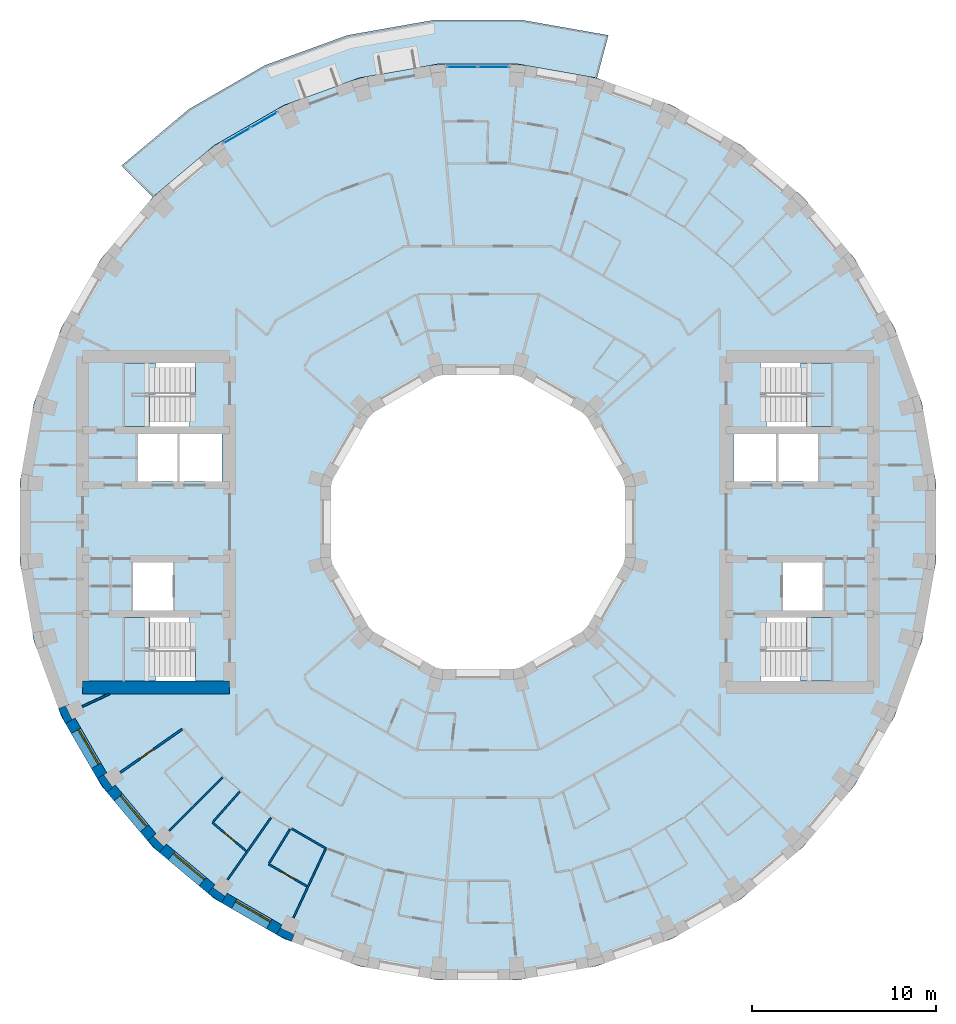
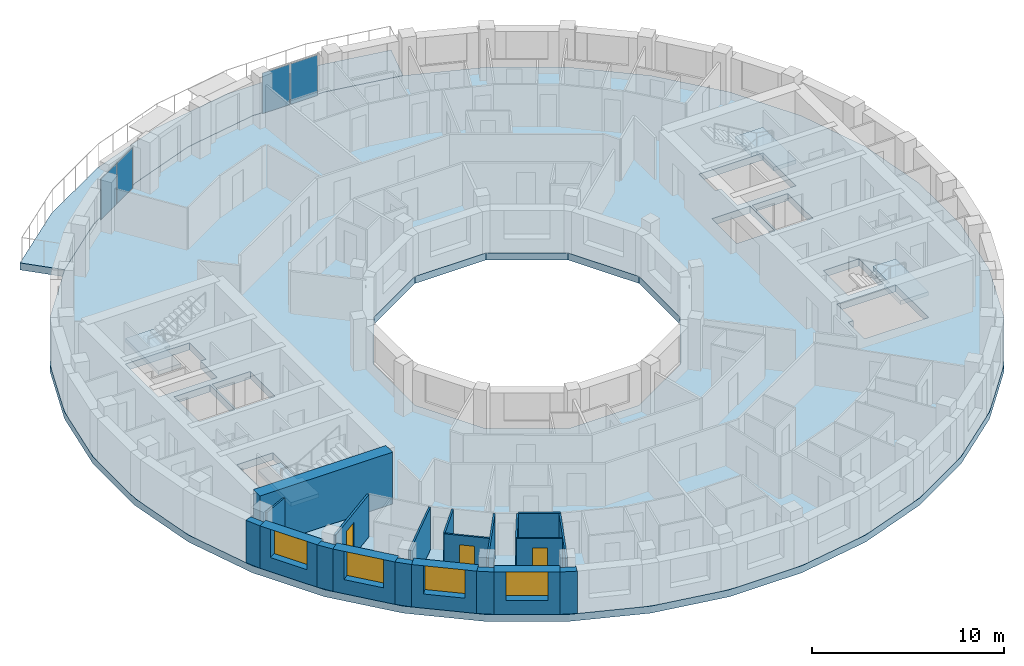
# One storey, part 3 of 14: 20 walls, 6 slabs, 4 plates, 4 windows, 3 doors, 7 openings, 6 elements without a shape of their own.
"""IFC4 building model written with IfcOpenShell, lengths in metres."""

from ifc_helpers import new_model, si_unit, direction, frame, frame_2d, origin, origin_2d, place, context, subcontext, project, spatial, polyline, rectangle, outline, extrude, material, layer, layer_set, type_object, element, fill, aggregate, save


model = new_model("IFC4")

# Units and contexts
model_context = context("Model", 3, precision=1e-05, world=origin(), true_north=direction((0.0, 1.0)))
body_context = subcontext(model_context, "Body", "Model", "MODEL_VIEW")
ifc_project = project(units=[si_unit("LENGTHUNIT", "METRE"), si_unit("AREAUNIT", "SQUARE_METRE"), si_unit("VOLUMEUNIT", "CUBIC_METRE"), si_unit("PLANEANGLEUNIT", "RADIAN"), si_unit("MASSUNIT", "GRAM", prefix="KILO")], contexts=[model_context])

# Site, building, storey
site_placement = place(None, origin())
site = spatial("IfcSite", under=ifc_project, at=site_placement, CompositionType="ELEMENT")
building_placement = place(site_placement, origin())
building = spatial("IfcBuilding", under=site, at=building_placement, Name="Saqina Gate Tower", CompositionType="ELEMENT")
storey_placement = place(building_placement, frame((0.0, 0.0, 216.89990234375)))
storey = spatial("IfcBuildingStorey", under=building, at=storey_placement, Name="L62", CompositionType="ELEMENT", Elevation=216.89990234375)

# Curtain wall, plates
ifc_material_1 = material(Name="Aluminium glazing", Category="aluminium")
ifc_layer_1 = layer(ifc_material_1, 0.159912109375)
ifc_layer_set_1 = layer_set([ifc_layer_1], Name="CWT-4")
curtain_wall_type = type_object("IfcCurtainWallType", Name="CWT-4", PredefinedType="NOTDEFINED", material=ifc_layer_set_1)
curtain_wall_1_placement = place(storey_placement, origin())
curtain_wall_1 = element("IfcCurtainWall", 1, at=curtain_wall_1_placement, inside=storey, type_object=curtain_wall_type, Name="Terrace lounge glazing facet 9", PredefinedType="NOTDEFINED")
ifc_material_2 = material(Name="Glass", Category="glass")
ifc_layer_2 = layer(ifc_material_2, 0.028076171875)
ifc_layer_set_2 = layer_set([ifc_layer_2], Name="CWT-4P")
plate_type = type_object("IfcPlateType", Name="CWT-4P", PredefinedType="CURTAIN_PANEL", material=ifc_layer_set_2)
plate_1_placement = place(storey_placement, frame((0.847412109375, 24.7548828125, 0.06005859375), z_axis=(0.0, 0.0, 1.0), x_axis=(-1.0, 0.0, 0.0)))
plate_1 = element("IfcPlate", 2, at=plate_1_placement, type_object=plate_type, Name="CW4-09 panel 1.1", PredefinedType="CURTAIN_PANEL", context=body_context, shape_type="SweptSolid", body=[
    extrude(rectangle(XDim=1.635009765625, YDim=0.028076171875, at=origin_2d()), origin(), (0.0, 0.0, 1.0), 2.580078125),
])
plate_2_placement = place(storey_placement, frame((-0.847412109375, 24.7548828125, 0.06005859375), z_axis=(0.0, 0.0, 1.0), x_axis=(-1.0, 0.0, 0.0)))
plate_2 = element("IfcPlate", 3, at=plate_2_placement, type_object=plate_type, Name="CW4-09 panel 2.1", PredefinedType="CURTAIN_PANEL", context=body_context, shape_type="SweptSolid", body=[
    extrude(rectangle(XDim=1.635009765625, YDim=0.028076171875, at=origin_2d()), origin(), (0.0, 0.0, 1.0), 2.580078125),
])
aggregate(curtain_wall_1, [plate_1, plate_2])

curtain_wall_2_placement = place(storey_placement, origin())
curtain_wall_2 = element("IfcCurtainWall", 4, at=curtain_wall_2_placement, inside=storey, type_object=curtain_wall_type, Name="Terrace lounge glazing facet 12", PredefinedType="NOTDEFINED")
plate_3_placement = place(storey_placement, frame((-11.6435546875, 21.862060546875, 0.06005859375), z_axis=(0.0, 0.0, 1.0), x_axis=(-0.866017110341, -0.500014364391, 0.0)))
plate_3 = element("IfcPlate", 5, at=plate_3_placement, type_object=plate_type, Name="CW4-12 panel 1.1", PredefinedType="CURTAIN_PANEL", context=body_context, shape_type="SweptSolid", body=[
    extrude(rectangle(XDim=1.634765625, YDim=0.028076171875, at=origin_2d()), origin(), (0.0, 0.0, 1.0), 2.580078125),
])
plate_4_placement = place(storey_placement, frame((-13.111328125, 21.0146484375, 0.06005859375), z_axis=(0.0, 0.0, 1.0), x_axis=(-0.866017110341, -0.500014364391, 0.0)))
plate_4 = element("IfcPlate", 6, at=plate_4_placement, type_object=plate_type, Name="CW4-12 panel 2.1", PredefinedType="CURTAIN_PANEL", context=body_context, shape_type="SweptSolid", body=[
    extrude(rectangle(XDim=1.634765625, YDim=0.028076171875, at=origin_2d()), origin(), (0.0, 0.0, 1.0), 2.580078125),
])
aggregate(curtain_wall_2, [plate_3, plate_4])

# Stair, slab
ifc_material_3 = material(Name="Concrete C40/50", Category="concrete")
stair_type = type_object("IfcStairType", Name="EXIT STAIR", PredefinedType="HALF_TURN_STAIR", material=ifc_material_3)
stair_1_placement = place(storey_placement, origin())
stair_1 = element("IfcStair", 7, at=stair_1_placement, inside=storey, type_object=stair_type, Name="EXIT STAIR 1", PredefinedType="HALF_TURN_STAIR")
ifc_material_4 = material(Name="Concrete C40/50", Category="concrete")
ifc_layer_3 = layer(ifc_material_4, 0.25)
ifc_layer_set_3 = layer_set([ifc_layer_3], Name="Concrete C40/50")
slab_type_1 = type_object("IfcSlabType", Name="EXIT STAIR LANDING", PredefinedType="LANDING", material=ifc_layer_set_3)
slab_1_placement = place(storey_placement, frame((0.0, 0.0, 1.400146484375)))
slab_1 = element("IfcSlab", 8, at=slab_1_placement, type_object=slab_type_1, Name="EXIT STAIR 1 LANDING 1", PredefinedType="LANDING", context=body_context, shape_type="SweptSolid", body=[
    extrude(outline(polyline([(19.219970703125, 8.64990234375), (19.219970703125, 5.199951171875), (17.864990234375, 5.199951171875), (17.864990234375, 6.925048828125), (17.534423828125, 6.925048828125), (17.534423828125, 8.64990234375), (17.864990234375, 8.64990234375), (17.8701171875, 8.64990234375), (19.219970703125, 8.64990234375)])), origin(), (0.0, 0.0, 1.0), 0.25),
])
aggregate(stair_1, [slab_1])

stair_2_placement = place(storey_placement, origin())
stair_2 = element("IfcStair", 9, at=stair_2_placement, inside=storey, type_object=stair_type, Name="EXIT STAIR 2", PredefinedType="HALF_TURN_STAIR")
slab_2_placement = place(storey_placement, frame((0.0, 0.0, 1.400146484375)))
slab_2 = element("IfcSlab", 10, at=slab_2_placement, type_object=slab_type_1, Name="EXIT STAIR 2 LANDING 1", PredefinedType="LANDING", context=body_context, shape_type="SweptSolid", body=[
    extrude(outline(polyline([(17.534423828125, -8.64990234375), (17.534423828125, -6.925048828125), (17.864990234375, -6.925048828125), (17.864990234375, -5.199951171875), (19.219970703125, -5.199951171875), (19.219970703125, -8.64990234375), (17.8701171875, -8.64990234375), (17.864990234375, -8.64990234375), (17.534423828125, -8.64990234375)])), origin(), (0.0, 0.0, 1.0), 0.25),
])
aggregate(stair_2, [slab_2])

stair_3_placement = place(storey_placement, origin())
stair_3 = element("IfcStair", 11, at=stair_3_placement, inside=storey, type_object=stair_type, Name="EXIT STAIR 3", PredefinedType="HALF_TURN_STAIR")
slab_3_placement = place(storey_placement, frame((0.0, 0.0, 1.400146484375)))
slab_3 = element("IfcSlab", 12, at=slab_3_placement, type_object=slab_type_1, Name="EXIT STAIR 3 LANDING 1", PredefinedType="LANDING", context=body_context, shape_type="SweptSolid", body=[
    extrude(outline(polyline([(-17.864990234375, 5.199951171875), (-19.219970703125, 5.199951171875), (-19.219970703125, 8.64990234375), (-17.8701171875, 8.64990234375), (-17.864990234375, 8.64990234375), (-17.534423828125, 8.64990234375), (-17.534423828125, 6.925048828125), (-17.864990234375, 6.925048828125), (-17.864990234375, 5.199951171875)])), origin(), (0.0, 0.0, 1.0), 0.25),
])
aggregate(stair_3, [slab_3])

stair_4_placement = place(storey_placement, origin())
stair_4 = element("IfcStair", 13, at=stair_4_placement, inside=storey, type_object=stair_type, Name="EXIT STAIR 4", PredefinedType="HALF_TURN_STAIR")
slab_4_placement = place(storey_placement, frame((0.0, 0.0, 1.400146484375)))
slab_4 = element("IfcSlab", 14, at=slab_4_placement, type_object=slab_type_1, Name="EXIT STAIR 4 LANDING 1", PredefinedType="LANDING", context=body_context, shape_type="SweptSolid", body=[
    extrude(outline(polyline([(-17.534423828125, -6.925048828125), (-17.534423828125, -8.64990234375), (-17.864990234375, -8.64990234375), (-17.8701171875, -8.64990234375), (-19.219970703125, -8.64990234375), (-19.219970703125, -5.199951171875), (-17.864990234375, -5.199951171875), (-17.864990234375, -6.925048828125), (-17.534423828125, -6.925048828125)])), origin(), (0.0, 0.0, 1.0), 0.25),
])
aggregate(stair_4, [slab_4])

# Slabs
ifc_material_5 = material(Name="Concrete C40/50", Category="concrete")
ifc_layer_4 = layer(ifc_material_5, 0.449951171875)
ifc_layer_set_4 = layer_set([ifc_layer_4], Name="Concrete C40/50")
slab_type_2 = type_object("IfcSlabType", Name="STR-POST-TENSIONED FLAT PLATE FLOOR-450", PredefinedType="FLOOR", material=ifc_layer_set_4)
slab_5_placement = place(storey_placement, frame((0.0, 0.0, -0.449951171875)))
element("IfcSlab", 15, at=slab_5_placement, inside=storey, type_object=slab_type_2, Name="L62-SLB01", PredefinedType="FLOOR", context=body_context, shape_type="SweptSolid", body=[
    extrude(outline(polyline([(24.148193359375, -6.470458984375), (24.90478515625, -2.178955078125), (24.90478515625, 2.178955078125), (24.148193359375, 6.470458984375), (22.65771484375, 10.5654296875), (20.478759765625, 14.33935546875), (17.677734375, 17.677734375), (14.33935546875, 20.478759765625), (10.5654296875, 22.65771484375), (6.470458984375, 24.148193359375), (2.178955078125, 24.90478515625), (-2.178955078125, 24.90478515625), (-6.470458984375, 24.148193359375), (-10.5654296875, 22.65771484375), (-14.33935546875, 20.478759765625), (-17.677734375, 17.677734375), (-20.478759765625, 14.33935546875), (-22.65771484375, 10.5654296875), (-24.148193359375, 6.470458984375), (-24.90478515625, 2.178955078125), (-24.90478515625, -2.178955078125), (-24.148193359375, -6.470458984375), (-22.65771484375, -10.5654296875), (-20.478759765625, -14.33935546875), (-17.677734375, -17.677734375), (-14.33935546875, -20.478759765625), (-10.5654296875, -22.65771484375), (-6.470458984375, -24.148193359375), (-2.178955078125, -24.90478515625), (2.178955078125, -24.90478515625), (6.470458984375, -24.148193359375), (10.5654296875, -22.65771484375), (14.33935546875, -20.478759765625), (17.677734375, -17.677734375), (20.478759765625, -14.33935546875), (22.65771484375, -10.5654296875), (24.148193359375, -6.470458984375)]), holes=[polyline([(2.1435546875, 8.0), (5.8564453125, 5.8564453125), (8.0, 2.1435546875), (8.0, -2.1435546875), (5.8564453125, -5.8564453125), (2.1435546875, -8.0), (-2.1435546875, -8.0), (-5.8564453125, -5.8564453125), (-8.0, -2.1435546875), (-8.0, 2.1435546875), (-5.8564453125, 5.8564453125), (-2.1435546875, 8.0), (2.1435546875, 8.0)]), polyline([(-15.35498046875, -8.64990234375), (-19.219970703125, -8.64990234375), (-19.219970703125, -6.925048828125), (-19.219970703125, -5.199951171875), (-15.685546875, -5.199951171875), (-15.685546875, -6.925048828125), (-15.35498046875, -6.925048828125), (-15.35498046875, -8.64990234375)]), polyline([(-16.590087890625, -2.199951171875), (-16.590087890625, -4.800048828125), (-18.75, -4.800048828125), (-18.75, -2.199951171875), (-16.590087890625, -2.199951171875)]), polyline([(-16.340087890625, 4.800048828125), (-16.340087890625, 2.199951171875), (-18.5, 2.199951171875), (-18.5, 4.800048828125), (-16.340087890625, 4.800048828125)]), polyline([(-13.909912109375, 4.800048828125), (-13.909912109375, 2.199951171875), (-16.219970703125, 2.199951171875), (-16.219970703125, 4.800048828125), (-13.909912109375, 4.800048828125)]), polyline([(-19.219970703125, 6.925048828125), (-19.219970703125, 8.64990234375), (-15.35498046875, 8.64990234375), (-15.35498046875, 6.925048828125), (-15.685546875, 6.925048828125), (-15.685546875, 5.199951171875), (-19.219970703125, 5.199951171875), (-19.219970703125, 6.925048828125)]), polyline([(15.35498046875, -8.64990234375), (15.35498046875, -6.925048828125), (15.685546875, -6.925048828125), (15.685546875, -5.199951171875), (19.219970703125, -5.199951171875), (19.219970703125, -6.925048828125), (19.219970703125, -8.64990234375), (15.35498046875, -8.64990234375)]), polyline([(18.75, -2.199951171875), (18.75, -4.800048828125), (16.590087890625, -4.800048828125), (16.590087890625, -2.199951171875), (18.75, -2.199951171875)]), polyline([(16.219970703125, 4.800048828125), (16.219970703125, 2.199951171875), (13.909912109375, 2.199951171875), (13.909912109375, 4.800048828125), (16.219970703125, 4.800048828125)]), polyline([(18.5, 4.800048828125), (18.5, 2.199951171875), (16.340087890625, 2.199951171875), (16.340087890625, 4.800048828125), (18.5, 4.800048828125)]), polyline([(15.685546875, 6.925048828125), (15.35498046875, 6.925048828125), (15.35498046875, 8.64990234375), (19.219970703125, 8.64990234375), (19.219970703125, 6.925048828125), (19.219970703125, 5.199951171875), (15.685546875, 5.199951171875), (15.685546875, 6.925048828125)])]), origin(), (0.0, 0.0, 1.0), 0.449951171875),
])
ifc_material_6 = material(Name="Concrete C40/50", Category="concrete")
ifc_layer_5 = layer(ifc_material_6, 0.449951171875)
ifc_layer_set_5 = layer_set([ifc_layer_5], Name="Concrete C40/50")
slab_type_3 = type_object("IfcSlabType", Name="STR-POST-TENSIONED FLAT PLATE TERRACE-450", PredefinedType="FLOOR", material=ifc_layer_set_5)
slab_6_placement = place(storey_placement, frame((0.0, 0.0, -0.449951171875)))
element("IfcSlab", 16, at=slab_6_placement, inside=storey, type_object=slab_type_3, Name="L62-TRS01", PredefinedType="FLOOR", context=body_context, shape_type="SweptSolid", body=[
    extrude(outline(polyline([(6.470458984375, 24.148193359375), (2.178955078125, 24.90478515625), (-2.178955078125, 24.90478515625), (-6.470458984375, 24.148193359375), (-10.5654296875, 22.65771484375), (-14.33935546875, 20.478759765625), (-17.677734375, 17.677734375), (-19.381103515625, 19.381103515625), (-15.72119140625, 22.452392578125), (-11.58349609375, 24.841064453125), (-7.093994140625, 26.475341796875), (-2.388916015625, 27.304931640625), (2.388916015625, 27.304931640625), (7.093994140625, 26.475341796875), (6.470458984375, 24.148193359375)])), origin(), (0.0, 0.0, 1.0), 0.449951171875),
])

# Walls
ifc_material_7 = material(Name="Brick masonry (buff)", Category="masonry")
wall_type_1 = type_object("IfcWallType", Name="BRICK PIER COPING BUFF", PredefinedType="SOLIDWALL", material=ifc_material_7)
wall_1_placement = place(storey_placement, origin())
element("IfcWall", 17, at=wall_1_placement, inside=storey, type_object=wall_type_1, Name="Pier cap L62 column 21", PredefinedType="SOLIDWALL", context=body_context, shape_type="SweptSolid", body=[
    extrude(outline(polyline([(-22.4306640625, -10.958740234375), (-21.9111328125, -10.65869140625), (-22.080810546875, -10.73779296875), (-22.4189453125, -10.0126953125), (-22.249267578125, -9.93359375), (-22.81298828125, -10.138916015625), (-22.4306640625, -10.958740234375)])), origin(), (0.0, 0.0, 1.0), 2.7001953125),
])
wall_2_placement = place(storey_placement, origin())
element("IfcWall", 18, at=wall_2_placement, inside=storey, type_object=wall_type_1, Name="Pier cap L62 column 22", PredefinedType="SOLIDWALL", context=body_context, shape_type="SweptSolid", body=[
    extrude(outline(polyline([(-20.705810546875, -13.9462890625), (-20.18701171875, -14.687255859375), (-19.727294921875, -14.301513671875), (-19.880859375, -14.408935546875), (-20.339599609375, -13.753662109375), (-20.186279296875, -13.646240234375), (-20.705810546875, -13.9462890625)])), origin(), (0.0, 0.0, 1.0), 2.7001953125),
])
wall_3_placement = place(storey_placement, origin())
element("IfcWall", 19, at=wall_3_placement, inside=storey, type_object=wall_type_1, Name="Pier cap L62 column 23", PredefinedType="SOLIDWALL", context=body_context, shape_type="SweptSolid", body=[
    extrude(outline(polyline([(-17.329833984375, -17.969482421875), (-16.944091796875, -17.510009765625), (-17.07666015625, -17.642333984375), (-17.642333984375, -17.07666015625), (-17.510009765625, -16.944091796875), (-17.969482421875, -17.329833984375), (-17.329833984375, -17.969482421875)])), origin(), (0.0, 0.0, 1.0), 2.7001953125),
])
wall_4_placement = place(storey_placement, origin())
element("IfcWall", 20, at=wall_4_placement, inside=storey, type_object=wall_type_1, Name="Pier cap L62 column 24", PredefinedType="SOLIDWALL", context=body_context, shape_type="SweptSolid", body=[
    extrude(outline(polyline([(-14.687255859375, -20.18701171875), (-13.9462890625, -20.705810546875), (-13.646240234375, -20.186279296875), (-13.753662109375, -20.339599609375), (-14.408935546875, -19.880859375), (-14.301513671875, -19.727294921875), (-14.687255859375, -20.18701171875)])), origin(), (0.0, 0.0, 1.0), 2.7001953125),
])
wall_5_placement = place(storey_placement, origin())
element("IfcWall", 21, at=wall_5_placement, inside=storey, type_object=wall_type_1, Name="Pier cap L62 column 25", PredefinedType="SOLIDWALL", context=body_context, shape_type="SweptSolid", body=[
    extrude(outline(polyline([(-10.138916015625, -22.81298828125), (-9.93359375, -22.249267578125), (-10.0126953125, -22.4189453125), (-10.73779296875, -22.080810546875), (-10.65869140625, -21.9111328125), (-10.958740234375, -22.4306640625), (-10.138916015625, -22.81298828125)])), origin(), (0.0, 0.0, 1.0), 2.7001953125),
])

# Wall, opening, window
ifc_material_8 = material(Name="Brick masonry (buff)", Category="masonry")
ifc_layer_6 = layer(ifc_material_8, 0.60009765625)
ifc_layer_set_6 = layer_set([ifc_layer_6], Name="FW-BRICK-BUFF")
wall_type_2 = type_object("IfcWallType", Name="FW-BRICK-BUFF", PredefinedType="SOLIDWALL", material=ifc_layer_set_6)
wall_6_placement = place(storey_placement, frame((-22.1708984375, -10.80859375, 0.0), z_axis=(0.0, 0.0, 1.0), x_axis=(0.499998129301, -0.86602648383, 0.0)))
wall_6 = element("IfcWall", 22, at=wall_6_placement, inside=storey, type_object=wall_type_2, Name="Facade wall L62 facet 21", PredefinedType="SOLIDWALL", context=body_context, shape_type="SweptSolid", body=[
    extrude(rectangle(XDim=3.44970703125, YDim=0.60009765625, at=frame_2d((1.724853515625, 0.0))), origin(), (0.0, 0.0, 1.0), 2.7001953125),
])
opening_1_placement = place(wall_6_placement, frame((0.625, 0.0, 0.89990234375)))
opening_1 = element("IfcOpeningElement", 23, at=opening_1_placement, cuts=wall_6, Name="Opening G18-W10", PredefinedType="OPENING", context=body_context, shape_type="SweptSolid", body=[
    extrude(rectangle(XDim=2.199951171875, YDim=1.800048828125, at=frame_2d((1.10009765625, 0.89990234375))), frame((0.0, 0.31201171875, 0.0), z_axis=(0.0, -1.0, 0.0), x_axis=(1.0, 0.0, 0.0)), (0.0, 0.0, 1.0), 0.6240234375),
])
ifc_material_9 = material(Name="Aluminium glazing", Category="aluminium")
window_type = type_object("IfcWindowType", Name="WN-C", PartitioningType="SINGLE_PANEL", PredefinedType="WINDOW", material=ifc_material_9)
window_1_placement = place(opening_1_placement, origin())
window_1 = element("IfcWindow", 24, at=window_1_placement, inside=storey, type_object=window_type, Name="Window L62 facet 21", OverallHeight=1.800048828125, OverallWidth=2.199951171875, PartitioningType="SINGLE_PANEL", PredefinedType="WINDOW", context=body_context, shape_type="SweptSolid", body=[
    extrude(rectangle(XDim=2.199951171875, YDim=1.800048828125, at=frame_2d((1.10009765625, 0.89990234375))), frame((0.0, 0.179931640625, 0.0), z_axis=(0.0, -1.0, 0.0), x_axis=(1.0, 0.0, 0.0)), (0.0, 0.0, 1.0), 0.06005859375),
])
fill(opening_1, window_1)

wall_7_placement = place(storey_placement, frame((-19.95703125, -14.494384765625, 0.0), z_axis=(0.0, 0.0, 1.0), x_axis=(0.642770398358, -0.766058884809, 0.0)))
wall_7 = element("IfcWall", 25, at=wall_7_placement, inside=storey, type_object=wall_type_2, Name="Facade wall L62 facet 22", PredefinedType="SOLIDWALL", context=body_context, shape_type="SweptSolid", body=[
    extrude(rectangle(XDim=3.449462890625, YDim=0.60009765625, at=frame_2d((1.724609375, 0.0))), origin(), (0.0, 0.0, 1.0), 2.7001953125),
])
opening_2_placement = place(wall_7_placement, frame((0.625, 0.0, 0.89990234375)))
opening_2 = element("IfcOpeningElement", 26, at=opening_2_placement, cuts=wall_7, Name="Opening G18-W11", PredefinedType="OPENING", context=body_context, shape_type="SweptSolid", body=[
    extrude(rectangle(XDim=2.199951171875, YDim=1.800048828125, at=frame_2d((1.10009765625, 0.89990234375))), frame((0.0, 0.31201171875, 0.0), z_axis=(0.0, -1.0, 0.0), x_axis=(1.0, 0.0, 0.0)), (0.0, 0.0, 1.0), 0.6240234375),
])
window_2_placement = place(opening_2_placement, origin())
window_2 = element("IfcWindow", 27, at=window_2_placement, inside=storey, type_object=window_type, Name="Window L62 facet 22", OverallHeight=1.800048828125, OverallWidth=2.199951171875, PartitioningType="SINGLE_PANEL", PredefinedType="WINDOW", context=body_context, shape_type="SweptSolid", body=[
    extrude(rectangle(XDim=2.199951171875, YDim=1.800048828125, at=frame_2d((1.10009765625, 0.89990234375))), frame((0.0, 0.179931640625, 0.0), z_axis=(0.0, -1.0, 0.0), x_axis=(1.0, 0.0, 0.0)), (0.0, 0.0, 1.0), 0.06005859375),
])
fill(opening_2, window_2)

wall_8_placement = place(storey_placement, frame((-17.136962890625, -17.73974609375, 0.0), z_axis=(0.0, 0.0, 1.0), x_axis=(0.766058884809, -0.642770398358, 0.0)))
wall_8 = element("IfcWall", 28, at=wall_8_placement, inside=storey, type_object=wall_type_2, Name="Facade wall L62 facet 23", PredefinedType="SOLIDWALL", context=body_context, shape_type="SweptSolid", body=[
    extrude(rectangle(XDim=3.449462890625, YDim=0.60009765625, at=frame_2d((1.724609375, 0.0))), origin(), (0.0, 0.0, 1.0), 2.7001953125),
])
opening_3_placement = place(wall_8_placement, frame((0.625, 0.0, 0.89990234375)))
opening_3 = element("IfcOpeningElement", 29, at=opening_3_placement, cuts=wall_8, Name="Opening G18-W12", PredefinedType="OPENING", context=body_context, shape_type="SweptSolid", body=[
    extrude(rectangle(XDim=2.199951171875, YDim=1.800048828125, at=frame_2d((1.10009765625, 0.89990234375))), frame((0.0, 0.31201171875, 0.0), z_axis=(0.0, -1.0, 0.0), x_axis=(1.0, 0.0, 0.0)), (0.0, 0.0, 1.0), 0.6240234375),
])
window_3_placement = place(opening_3_placement, origin())
window_3 = element("IfcWindow", 30, at=window_3_placement, inside=storey, type_object=window_type, Name="Window L62 facet 23", OverallHeight=1.800048828125, OverallWidth=2.199951171875, PartitioningType="SINGLE_PANEL", PredefinedType="WINDOW", context=body_context, shape_type="SweptSolid", body=[
    extrude(rectangle(XDim=2.199951171875, YDim=1.800048828125, at=frame_2d((1.10009765625, 0.89990234375))), frame((0.0, 0.179931640625, 0.0), z_axis=(0.0, -1.0, 0.0), x_axis=(1.0, 0.0, 0.0)), (0.0, 0.0, 1.0), 0.06005859375),
])
fill(opening_3, window_3)

wall_9_placement = place(storey_placement, frame((-13.796142578125, -20.446044921875, 0.0), z_axis=(0.0, 0.0, 1.0), x_axis=(0.86602648383, -0.499998129301, 0.0)))
wall_9 = element("IfcWall", 31, at=wall_9_placement, inside=storey, type_object=wall_type_2, Name="Facade wall L62 facet 24", PredefinedType="SOLIDWALL", context=body_context, shape_type="SweptSolid", body=[
    extrude(rectangle(XDim=3.44970703125, YDim=0.60009765625, at=frame_2d((1.724853515625, 0.0))), origin(), (0.0, 0.0, 1.0), 2.7001953125),
])
opening_4_placement = place(wall_9_placement, frame((0.625, 0.0, 0.89990234375)))
opening_4 = element("IfcOpeningElement", 32, at=opening_4_placement, cuts=wall_9, Name="Opening G18-W13", PredefinedType="OPENING", context=body_context, shape_type="SweptSolid", body=[
    extrude(rectangle(XDim=2.199951171875, YDim=1.800048828125, at=frame_2d((1.10009765625, 0.89990234375))), frame((0.0, 0.31201171875, 0.0), z_axis=(0.0, -1.0, 0.0), x_axis=(1.0, 0.0, 0.0)), (0.0, 0.0, 1.0), 0.6240234375),
])
window_4_placement = place(opening_4_placement, origin())
window_4 = element("IfcWindow", 33, at=window_4_placement, inside=storey, type_object=window_type, Name="Window L62 facet 24", OverallHeight=1.800048828125, OverallWidth=2.199951171875, PartitioningType="SINGLE_PANEL", PredefinedType="WINDOW", context=body_context, shape_type="SweptSolid", body=[
    extrude(rectangle(XDim=2.199951171875, YDim=1.800048828125, at=frame_2d((1.10009765625, 0.89990234375))), frame((0.0, 0.179931640625, 0.0), z_axis=(0.0, -1.0, 0.0), x_axis=(1.0, 0.0, 0.0)), (0.0, 0.0, 1.0), 0.06005859375),
])
fill(opening_4, window_4)

# Wall, opening, door
ifc_material_10 = material(Name="Gypsum board on steel studs, 100 mm", Category="steel")
ifc_layer_7 = layer(ifc_material_10, 0.10009765625)
ifc_layer_set_7 = layer_set([ifc_layer_7], Name="PARTITION 100")
wall_type_3 = type_object("IfcWallType", Name="PARTITION 100", PredefinedType="PARTITIONING", material=ifc_layer_set_7)
wall_10_placement = place(storey_placement, frame((-14.44189453125, -16.345947265625, 0.0), z_axis=(0.0, 0.0, 1.0), x_axis=(0.765878189611, -0.642985690882, 0.0)))
wall_10 = element("IfcWall", 34, at=wall_10_placement, inside=storey, type_object=wall_type_3, Name="PARTITION PW3-21", PredefinedType="PARTITIONING", context=body_context, shape_type="SweptSolid", body=[
    extrude(rectangle(XDim=2.413818359375, YDim=0.10009765625, at=frame_2d((1.20703125, 0.0))), origin(), (0.0, 0.0, 1.0), 2.7001953125),
])
opening_5_placement = place(wall_10_placement, frame((0.831787109375, 0.0, 0.0)))
opening_5 = element("IfcOpeningElement", 35, at=opening_5_placement, cuts=wall_10, Name="Opening G18-D29", PredefinedType="OPENING", context=body_context, shape_type="SweptSolid", body=[
    extrude(rectangle(XDim=0.800048828125, YDim=2.10009765625, at=frame_2d((0.39990234375, 1.050048828125))), frame((0.0, 0.06201171875, 0.0), z_axis=(0.0, -1.0, 0.0), x_axis=(1.0, 0.0, 0.0)), (0.0, 0.0, 1.0), 0.1240234375),
])
ifc_material_11 = material(Name="Timber door leaf, 800 mm", Category="wood")
door_type_1 = type_object("IfcDoorType", Name="DOOR 800 TIMBER", OperationType="SINGLE_SWING_LEFT", PredefinedType="DOOR", material=ifc_material_11)
door_1_placement = place(opening_5_placement, frame((0.800048828125, 0.0, 0.0), z_axis=(0.0, 0.0, 1.0), x_axis=(-1.0, 0.0, 0.0)))
door_1 = element("IfcDoor", 36, at=door_1_placement, inside=storey, type_object=door_type_1, Name="DOOR G18-D29", OperationType="SINGLE_SWING_LEFT", OverallHeight=2.10009765625, OverallWidth=0.800048828125, PredefinedType="DOOR", context=body_context, shape_type="SweptSolid", body=[
    extrude(rectangle(XDim=0.800048828125, YDim=2.10009765625, at=frame_2d((0.39990234375, 1.050048828125))), frame((0.0, 0.02490234375, 0.0), z_axis=(0.0, -1.0, 0.0), x_axis=(1.0, 0.0, 0.0)), (0.0, 0.0, 1.0), 0.050048828125),
])
fill(opening_5, door_1)

wall_11_placement = place(storey_placement, frame((-11.385009765625, -18.60498046875, 0.0), z_axis=(0.0, 0.0, 1.0), x_axis=(0.866145191815, -0.499792463624, 0.0)))
wall_11 = element("IfcWall", 37, at=wall_11_placement, inside=storey, type_object=wall_type_3, Name="PARTITION PW3-25", PredefinedType="PARTITIONING", context=body_context, shape_type="SweptSolid", body=[
    extrude(rectangle(XDim=2.4150390625, YDim=0.10009765625, at=frame_2d((1.20751953125, 0.0))), origin(), (0.0, 0.0, 1.0), 2.7001953125),
])
opening_6_placement = place(wall_11_placement, frame((0.83251953125, 0.0, 0.0)))
opening_6 = element("IfcOpeningElement", 38, at=opening_6_placement, cuts=wall_11, Name="Opening G18-D34", PredefinedType="OPENING", context=body_context, shape_type="SweptSolid", body=[
    extrude(rectangle(XDim=0.800048828125, YDim=2.10009765625, at=frame_2d((0.39990234375, 1.050048828125))), frame((0.0, 0.06201171875, 0.0), z_axis=(0.0, -1.0, 0.0), x_axis=(1.0, 0.0, 0.0)), (0.0, 0.0, 1.0), 0.1240234375),
])
door_2_placement = place(opening_6_placement, frame((0.800048828125, 0.0, 0.0), z_axis=(0.0, 0.0, 1.0), x_axis=(-1.0, 0.0, 0.0)))
door_2 = element("IfcDoor", 39, at=door_2_placement, inside=storey, type_object=door_type_1, Name="DOOR G18-D34", OperationType="SINGLE_SWING_LEFT", OverallHeight=2.10009765625, OverallWidth=0.800048828125, PredefinedType="DOOR", context=body_context, shape_type="SweptSolid", body=[
    extrude(rectangle(XDim=0.800048828125, YDim=2.10009765625, at=frame_2d((0.39990234375, 1.050048828125))), frame((0.0, 0.02490234375, 0.0), z_axis=(0.0, -1.0, 0.0), x_axis=(1.0, 0.0, 0.0)), (0.0, 0.0, 1.0), 0.050048828125),
])
fill(opening_6, door_2)

# Walls
wall_12_placement = place(storey_placement, frame((-10.1298828125, -16.67431640625, 0.0), z_axis=(0.0, 0.0, 1.0), x_axis=(0.866104006239, -0.499863831834, 0.0)))
element("IfcWall", 40, at=wall_12_placement, inside=storey, type_object=wall_type_3, Name="PARTITION PW3-26", PredefinedType="PARTITIONING", context=body_context, shape_type="SweptSolid", body=[
    extrude(rectangle(XDim=2.1923828125, YDim=0.10009765625, at=frame_2d((1.09619140625, 0.0))), origin(), (0.0, 0.0, 1.0), 2.7001953125),
])
wall_13_placement = place(storey_placement, frame((-21.515625, -10.033203125, 0.0), z_axis=(0.0, 0.0, 1.0), x_axis=(0.906055596822, 0.423158664648, 0.0)))
element("IfcWall", 41, at=wall_13_placement, inside=storey, type_object=wall_type_3, Name="PARTITION PW3-54", PredefinedType="PARTITIONING", context=body_context, shape_type="SweptSolid", body=[
    extrude(rectangle(XDim=1.6142578125, YDim=0.10009765625, at=frame_2d((0.80712890625, 0.0))), origin(), (0.0, 0.0, 1.0), 2.7001953125),
])
wall_14_placement = place(storey_placement, frame((-16.78662109375, -16.78662109375, 0.0), z_axis=(0.0, 0.0, 1.0), x_axis=(0.707106781187, 0.707106781187, 0.0)))
element("IfcWall", 42, at=wall_14_placement, inside=storey, type_object=wall_type_3, Name="PARTITION PW3-65", PredefinedType="PARTITIONING", context=body_context, shape_type="SweptSolid", body=[
    extrude(rectangle(XDim=4.09765625, YDim=0.10009765625, at=frame_2d((2.048828125, 0.0))), origin(), (0.0, 0.0, 1.0), 2.7001953125),
])
wall_15_placement = place(storey_placement, frame((-14.408935546875, -16.30859375, 0.0), z_axis=(0.0, 0.0, 1.0), x_axis=(0.661846667472, 0.749639239072, 0.0)))
element("IfcWall", 43, at=wall_15_placement, inside=storey, type_object=wall_type_3, Name="PARTITION PW3-69", PredefinedType="PARTITIONING", context=body_context, shape_type="SweptSolid", body=[
    extrude(rectangle(XDim=2.1884765625, YDim=0.10009765625, at=frame_2d((1.09423828125, 0.0))), origin(), (0.0, 0.0, 1.0), 2.7001953125),
])
wall_16_placement = place(storey_placement, frame((-13.616943359375, -19.446533203125, 0.0), z_axis=(0.0, 0.0, 1.0), x_axis=(0.573606249772, 0.819131167898, 0.0)))
element("IfcWall", 44, at=wall_16_placement, inside=storey, type_object=wall_type_3, Name="PARTITION PW3-72", PredefinedType="PARTITIONING", context=body_context, shape_type="SweptSolid", body=[
    extrude(rectangle(XDim=4.098876953125, YDim=0.10009765625, at=frame_2d((2.04931640625, 0.0))), origin(), (0.0, 0.0, 1.0), 2.7001953125),
])
wall_17_placement = place(storey_placement, frame((-11.35888671875, -18.562255859375, 0.0), z_axis=(0.0, 0.0, 1.0), x_axis=(0.522122387349, 0.852870572026, 0.0)))
element("IfcWall", 45, at=wall_17_placement, inside=storey, type_object=wall_type_3, Name="PARTITION PW3-75", PredefinedType="PARTITIONING", context=body_context, shape_type="SweptSolid", body=[
    extrude(rectangle(XDim=2.18798828125, YDim=0.10009765625, at=frame_2d((1.093994140625, 0.0))), origin(), (0.0, 0.0, 1.0), 2.7001953125),
])
wall_18_placement = place(storey_placement, frame((-10.032470703125, -21.51611328125, 0.0), z_axis=(0.0, 0.0, 1.0), x_axis=(0.423514808753, 0.90588918018, 0.0)))
element("IfcWall", 46, at=wall_18_placement, inside=storey, type_object=wall_type_3, Name="PARTITION PW3-79", PredefinedType="PARTITIONING", context=body_context, shape_type="SweptSolid", body=[
    extrude(rectangle(XDim=4.09814453125, YDim=0.10009765625, at=frame_2d((2.049072265625, 0.0))), origin(), (0.0, 0.0, 1.0), 2.7001953125),
])

# Wall, opening, door
ifc_material_12 = material(Name="Gypsum board on steel studs, 125 mm, fire rated", Category="steel")
ifc_layer_8 = layer(ifc_material_12, 0.125)
ifc_layer_set_8 = layer_set([ifc_layer_8], Name="PARTITION EI 30 125")
wall_type_4 = type_object("IfcWallType", Name="PARTITION EI 30 125", PredefinedType="PARTITIONING", material=ifc_layer_set_8)
wall_19_placement = place(storey_placement, frame((-19.446533203125, -13.616943359375, 0.0), z_axis=(0.0, 0.0, 1.0), x_axis=(0.819131167898, 0.573606249772, 0.0)))
wall_19 = element("IfcWall", 47, at=wall_19_placement, inside=storey, type_object=wall_type_4, Name="PARTITION PW1-39", PredefinedType="PARTITIONING", context=body_context, shape_type="SweptSolid", body=[
    extrude(rectangle(XDim=4.098876953125, YDim=0.125, at=frame_2d((2.04931640625, 0.0))), origin(), (0.0, 0.0, 1.0), 2.7001953125),
])
opening_7_placement = place(wall_19_placement, frame((1.30126953125, 0.0, 0.0)))
opening_7 = element("IfcOpeningElement", 48, at=opening_7_placement, cuts=wall_19, Name="Opening G18-D26", PredefinedType="OPENING", context=body_context, shape_type="SweptSolid", body=[
    extrude(rectangle(XDim=0.89990234375, YDim=2.10009765625, at=frame_2d((0.449951171875, 1.050048828125))), frame((0.0, 0.074462890625, 0.0), z_axis=(0.0, -1.0, 0.0), x_axis=(1.0, 0.0, 0.0)), (0.0, 0.0, 1.0), 0.14892578125),
])
ifc_material_13 = material(Name="Fire door leaf EI 30, 900 mm")
door_type_2 = type_object("IfcDoorType", Name="DOOR 900 EI 30", OperationType="SINGLE_SWING_LEFT", PredefinedType="DOOR", material=ifc_material_13)
door_3_placement = place(opening_7_placement, origin())
door_3 = element("IfcDoor", 49, at=door_3_placement, inside=storey, type_object=door_type_2, Name="DOOR G18-D26", OperationType="SINGLE_SWING_LEFT", OverallHeight=2.10009765625, OverallWidth=0.89990234375, PredefinedType="DOOR", context=body_context, shape_type="SweptSolid", body=[
    extrude(rectangle(XDim=0.89990234375, YDim=2.10009765625, at=frame_2d((0.449951171875, 1.050048828125))), frame((0.0, 0.02490234375, 0.0), z_axis=(0.0, -1.0, 0.0), x_axis=(1.0, 0.0, 0.0)), (0.0, 0.0, 1.0), 0.050048828125),
])
fill(opening_7, door_3)

# Wall
ifc_material_14 = material(Name="Concrete C60/75", Category="concrete")
ifc_layer_9 = layer(ifc_material_14, 0.699951171875)
ifc_layer_set_9 = layer_set([ifc_layer_9], Name="Concrete C60/75")
wall_type_5 = type_object("IfcWallType", Name="STR-CORE WALL-C-O", PredefinedType="SHEAR", material=ifc_layer_set_9)
wall_20_placement = place(storey_placement, frame((-13.5, -9.0, 0.0), z_axis=(0.0, 0.0, 1.0), x_axis=(-1.0, 0.0, 0.0)))
element("IfcWall", 50, at=wall_20_placement, inside=storey, type_object=wall_type_5, Name="CORE WALL L62 W-SE", PredefinedType="SHEAR", context=body_context, shape_type="SweptSolid", body=[
    extrude(rectangle(XDim=8.0, YDim=0.699951171875, at=frame_2d((4.0, 0.0))), origin(), (0.0, 0.0, 1.0), 3.300048828125),
])

save(model, "model.ifc")
